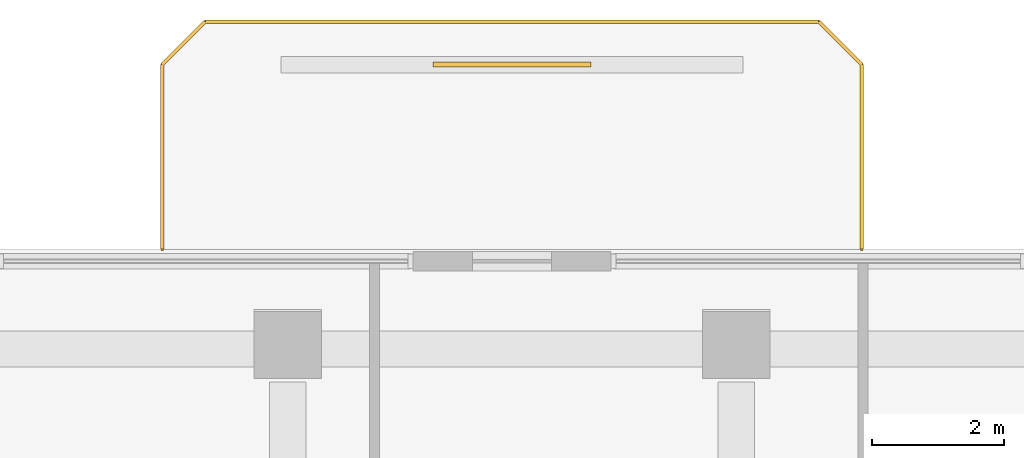
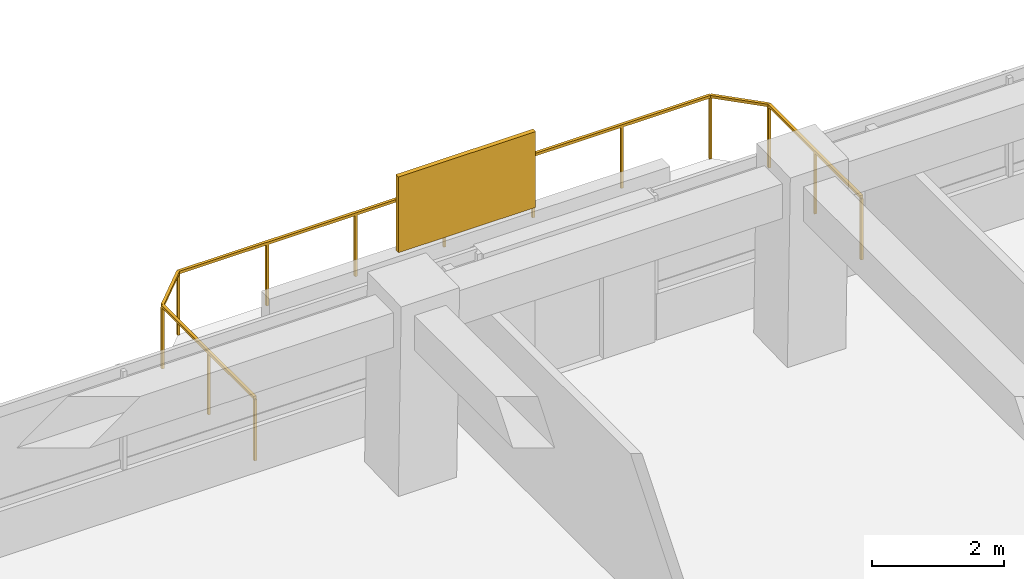
# One storey, part 14 of 14: 1 railing, 1 shading device.
"""IFC4 building model written with IfcOpenShell, lengths in metres."""

from ifc_helpers import new_model, si_unit, derived_unit, direction, frame, origin, origin_2d, place, context, subcontext, project, spatial, rectangle, extrude, material, layer, layer_set, type_object, element, save


model = new_model("IFC4")

# Units and contexts
model_context = context("Model", 3, precision=1e-05, world=origin(), true_north=direction((0.0, 1.0)))
body_context = subcontext(model_context, "Body", "Model", "MODEL_VIEW")
ifc_project = project(units=[si_unit("LENGTHUNIT", "METRE"), si_unit("AREAUNIT", "SQUARE_METRE"), si_unit("VOLUMEUNIT", "CUBIC_METRE"), si_unit("PLANEANGLEUNIT", "RADIAN"), si_unit("MASSUNIT", "GRAM", prefix="KILO"), derived_unit("THERMALTRANSMITTANCEUNIT", [(si_unit("POWERUNIT", "WATT"), 1), (si_unit("LENGTHUNIT", "METRE"), -2), (si_unit("THERMODYNAMICTEMPERATUREUNIT", "KELVIN"), -1)])], contexts=[model_context])

# Site, building, storey
site_placement = place(None, origin())
site = spatial("IfcSite", under=ifc_project, at=site_placement, CompositionType="ELEMENT")
building_placement = place(site_placement, origin())
building = spatial("IfcBuilding", under=site, at=building_placement, Name="Koralith Skygarden Medical Center", CompositionType="ELEMENT")
storey_placement = place(building_placement, frame((0.0, 0.0, 95.580078125)))
storey = spatial("IfcBuildingStorey", under=building, at=storey_placement, Name="L24", CompositionType="ELEMENT", Elevation=95.580078125)

# Railing
ifc_material_1 = material(Name="Steel ASTM A500 Grade C", Category="steel")
railing_type = type_object("IfcRailingType", Name="Outdoor Terrace & Balcony Safety Guardrail 1180", PredefinedType="GUARDRAIL", material=ifc_material_1)
railing_placement = place(storey_placement, frame((42.300048828125, 48.123046875, 0.0)))
element("IfcRailing", 1, at=railing_placement, inside=storey, type_object=railing_type, Name="L24 N Balcony Perimeter Guardrail", PredefinedType="GUARDRAIL", context=body_context, shape_type="SweptSolid", body=[
    extrude(rectangle(XDim=0.050048828125, YDim=0.050048828125, at=origin_2d()), frame((0.0, 0.001953125, 1.15478515625), z_axis=(0.0, 1.0, 0.0), x_axis=(-1.0, 0.0, 0.0)), (0.0, 0.0, 1.0), 2.796142578125),
    extrude(rectangle(XDim=0.050048828125, YDim=0.050048828125, at=origin_2d()), frame((-0.00146484375, 2.801513671875, 1.15478515625), z_axis=(-0.707239558722, 0.706973978714, 0.0), x_axis=(-0.706973978714, -0.707239558722, 0.0)), (0.0, 0.0, 1.0), 0.915283203125),
    extrude(rectangle(XDim=0.050048828125, YDim=0.050048828125, at=origin_2d()), frame((-0.652099609375, 3.449951171875, 1.15478515625), z_axis=(-1.0, 0.0, 0.0), x_axis=(0.0, -1.0, 0.0)), (0.0, 0.0, 1.0), 9.2958984375),
    extrude(rectangle(XDim=0.050048828125, YDim=0.050048828125, at=origin_2d()), frame((-9.951416015625, 3.448486328125, 1.15478515625), z_axis=(-0.707239558722, -0.706973978714, 0.0), x_axis=(0.706973978714, -0.707239558722, 0.0)), (0.0, 0.0, 1.0), 0.915283203125),
    extrude(rectangle(XDim=0.050048828125, YDim=0.050048828125, at=origin_2d()), frame((-10.60009765625, 2.798095703125, 1.15478515625), z_axis=(0.0, -1.0, 0.0), x_axis=(1.0, 0.0, 0.0)), (0.0, 0.0, 1.0), 2.796142578125),
    extrude(rectangle(XDim=0.0419921875, YDim=0.0419921875, at=origin_2d()), origin(), (0.0, 0.0, 1.0), 1.1279296875),
    extrude(rectangle(XDim=0.0419921875, YDim=0.0419921875, at=origin_2d()), frame((0.0, 1.39990234375, 0.0)), (0.0, 0.0, 1.0), 1.1279296875),
    extrude(rectangle(XDim=0.0419921875, YDim=0.0419921875, at=origin_2d()), frame((0.0, 2.800048828125, 0.0)), (0.0, 0.0, 1.0), 1.1279296875),
    extrude(rectangle(XDim=0.0419921875, YDim=0.0419921875, at=origin_2d()), frame((-0.650146484375, 3.449951171875, 0.0)), (0.0, 0.0, 1.0), 1.1279296875),
    extrude(rectangle(XDim=0.0419921875, YDim=0.0419921875, at=origin_2d()), frame((-2.2001953125, 3.449951171875, 0.0)), (0.0, 0.0, 1.0), 1.1279296875),
    extrude(rectangle(XDim=0.0419921875, YDim=0.0419921875, at=origin_2d()), frame((-3.75, 3.449951171875, 0.0)), (0.0, 0.0, 1.0), 1.1279296875),
    extrude(rectangle(XDim=0.0419921875, YDim=0.0419921875, at=origin_2d()), frame((-5.300048828125, 3.449951171875, 0.0)), (0.0, 0.0, 1.0), 1.1279296875),
    extrude(rectangle(XDim=0.0419921875, YDim=0.0419921875, at=origin_2d()), frame((-6.85009765625, 3.449951171875, 0.0)), (0.0, 0.0, 1.0), 1.1279296875),
    extrude(rectangle(XDim=0.0419921875, YDim=0.0419921875, at=origin_2d()), frame((-8.39990234375, 3.449951171875, 0.0)), (0.0, 0.0, 1.0), 1.1279296875),
    extrude(rectangle(XDim=0.0419921875, YDim=0.0419921875, at=origin_2d()), frame((-9.949951171875, 3.449951171875, 0.0)), (0.0, 0.0, 1.0), 1.1279296875),
    extrude(rectangle(XDim=0.0419921875, YDim=0.0419921875, at=origin_2d()), frame((-10.60009765625, 2.800048828125, 0.0)), (0.0, 0.0, 1.0), 1.1279296875),
    extrude(rectangle(XDim=0.0419921875, YDim=0.0419921875, at=origin_2d()), frame((-10.60009765625, 1.39990234375, 0.0)), (0.0, 0.0, 1.0), 1.1279296875),
    extrude(rectangle(XDim=0.0419921875, YDim=0.0419921875, at=origin_2d()), frame((-10.60009765625, 0.0, 0.0)), (0.0, 0.0, 1.0), 1.1279296875),
])

# Shading device
ifc_material_2 = material(Name="Aluminium 6063-T6", Category="aluminium")
ifc_layer = layer(ifc_material_2, 0.080078125)
ifc_layer_set = layer_set([ifc_layer], Name="Aluminium 6063-T6")
shading_device_type = type_object("IfcShadingDeviceType", Name="Perforated Biophilic Balcony Trellis Screen", PredefinedType="USERDEFINED", material=ifc_layer_set)
shading_device_placement = place(storey_placement, frame((37.0, 50.923095703125, 0.719970703125), z_axis=(0.0, 0.0, 1.0), x_axis=(1.0, 0.0, 0.0)))
element("IfcShadingDevice", 2, at=shading_device_placement, inside=storey, type_object=shading_device_type, Name="L24 N Biophilic Balcony Trellis Screen", ObjectType="HURRICANE SCREEN", PredefinedType="USERDEFINED", context=body_context, shape_type="SweptSolid", body=[
    extrude(rectangle(XDim=2.39990234375, YDim=0.080078125, at=origin_2d()), origin(), (0.0, 0.0, 1.0), 1.39990234375),
])

save(model, "model.ifc")
